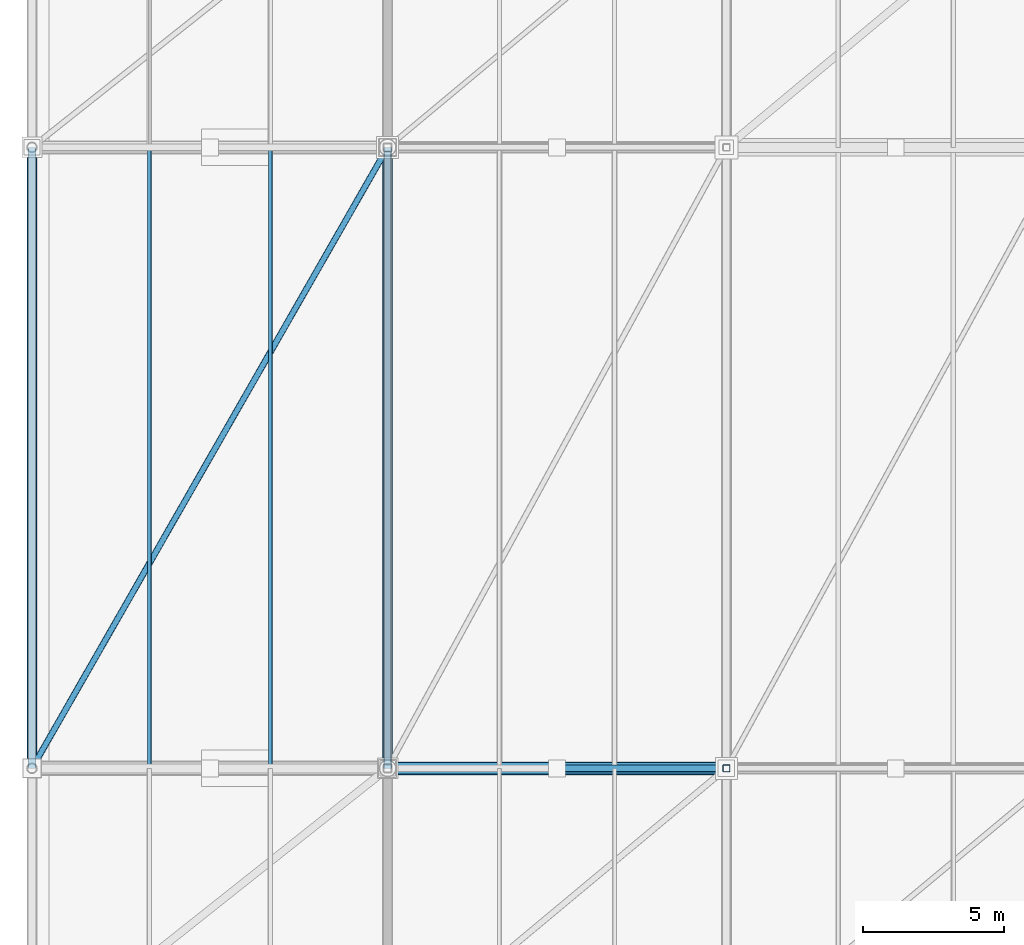
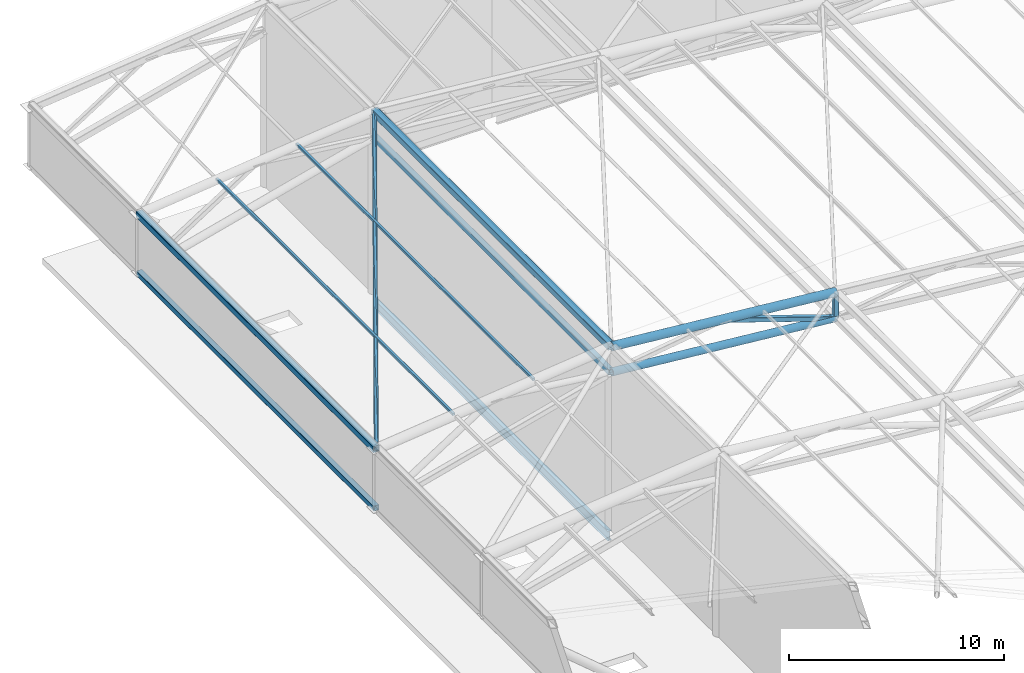
# One storey, part 26 of 44: 11 members, 1 beam.
"""IFC4 building model written with IfcOpenShell, lengths in metres."""

import ifcopenshell
import ifcopenshell.guid

model = None  # the IFC model being written
_history = None  # IfcOwnerHistory: only IFC2X3 demands one
_inside = {}  # id of a spatial element -> (the spatial element, [elements in it])
_under = {}  # id of a project, library or spatial element -> (it, [spatial elements below it])
_declared = {}  # id of a project -> (the project, [libraries it declares])
_typed = {}  # id of a type object -> (the type object, [elements of that type])
_made_of = {}  # id of a material, layer set ... -> (it, [elements and type objects made of it])


def new_model(schema):
    """Start an empty IFC model of exactly this schema.

    Asked for "IFC4X3", IfcOpenShell would pick the latest addendum, in which some entities
    have other attributes; the version numbers below select the first issue.
    IFC2X3 requires an IfcOwnerHistory on every rooted entity: one is made here for all.
    """
    global model, _history
    if schema == "IFC4X3":
        model = ifcopenshell.file(schema_version=(4, 3, 0, 0))
    else:
        model = ifcopenshell.file(schema=schema)
    _inside.clear()
    _under.clear()
    _declared.clear()
    _typed.clear()
    _made_of.clear()
    _history = None
    if model.schema == "IFC2X3":
        org = make("IfcOrganization", Name="unknown")
        user = make(
            "IfcPersonAndOrganization",
            ThePerson=make("IfcPerson", FamilyName="unknown"),
            TheOrganization=org,
        )
        app = make(
            "IfcApplication",
            ApplicationDeveloper=org,
            Version="unknown",
            ApplicationFullName="unknown",
            ApplicationIdentifier="unknown",
        )
        _history = make(
            "IfcOwnerHistory",
            OwningUser=user,
            OwningApplication=app,
            ChangeAction="ADDED",
            CreationDate=0,
        )
    return model


def make(cls, **values):
    """One entity of the class cls with the attributes given. An attribute that is None is left unset."""
    return model.create_entity(
        cls, **{name: value for name, value in values.items() if value is not None}
    )


def rooted(cls, **values):
    """An entity with a GlobalId (a new one), such as an element, a storey or a relation."""
    return make(cls, GlobalId=ifcopenshell.guid.new(), OwnerHistory=_history, **values)


def si_unit(unit_type, name, prefix=None):
    """IfcSIUnit, for example si_unit("LENGTHUNIT", "METRE", prefix="MILLI")."""
    return make("IfcSIUnit", UnitType=unit_type, Prefix=prefix, Name=name)


def assignment(units):
    """IfcUnitAssignment: the units of a project."""
    return None if units is None else make("IfcUnitAssignment", Units=units)


def point(xyz):
    """IfcCartesianPoint."""
    return None if xyz is None else make("IfcCartesianPoint", Coordinates=xyz)


def direction(xyz):
    """IfcDirection."""
    return None if xyz is None else make("IfcDirection", DirectionRatios=xyz)


def frame(location, z_axis=None, x_axis=None):
    """IfcAxis2Placement3D, a coordinate frame: its origin and axes. An axis left out is left unset."""
    return make(
        "IfcAxis2Placement3D",
        Location=point(location),
        Axis=direction(z_axis),
        RefDirection=direction(x_axis),
    )


def frame_2d(location, x_axis=None):
    """IfcAxis2Placement2D, a coordinate frame in the plane: its origin and x axis."""
    return make(
        "IfcAxis2Placement2D", Location=point(location), RefDirection=direction(x_axis)
    )


def origin():
    """The frame at (0, 0, 0) with its axes left unset."""
    return frame((0.0, 0.0, 0.0))


def origin_2d():
    """The frame at (0, 0) in the plane with its x axis left unset."""
    return frame_2d((0.0, 0.0))


def place(relative_to, where):
    """IfcLocalPlacement: puts the frame where relative to a parent placement (None: the world)."""
    return make(
        "IfcLocalPlacement", PlacementRelTo=relative_to, RelativePlacement=where
    )


def context(
    kind, dimensions, precision=None, world=None, true_north=None, identifier=None
):
    """IfcGeometricRepresentationContext, for example the 3D "Model" context."""
    return make(
        "IfcGeometricRepresentationContext",
        ContextIdentifier=identifier,
        ContextType=kind,
        CoordinateSpaceDimension=dimensions,
        Precision=precision,
        WorldCoordinateSystem=world,
        TrueNorth=true_north,
    )


def subcontext(parent, identifier, kind, view, scale=None):
    """IfcGeometricRepresentationSubContext, for example "Body" below "Model"."""
    return make(
        "IfcGeometricRepresentationSubContext",
        ContextIdentifier=identifier,
        ContextType=kind,
        ParentContext=parent,
        TargetScale=scale,
        TargetView=view,
    )


def project(units=None, contexts=None):
    """IfcProject with its units and contexts."""
    return rooted(
        "IfcProject",
        Name="project",
        RepresentationContexts=contexts,
        UnitsInContext=assignment(units),
    )


def spatial(cls, under=None, at=None, **own):
    """A site, building, storey or space (cls), placed at a placement, below another one or the project."""
    s = rooted(cls, ObjectPlacement=at, **own)
    if under is not None:
        _under.setdefault(under.id(), (under, []))[1].append(s)
    return s


def profile(cls, at=None, kind="AREA", **sizes):
    """A parametric profile (cls). Its sizes go by their IFC names, for example OverallWidth=200.0."""
    return make(cls, ProfileType=kind, Position=at, **sizes)


def hollow_rectangle(**sizes):
    """IfcRectangleHollowProfileDef."""
    return profile("IfcRectangleHollowProfileDef", **sizes)


def hollow_circle(**sizes):
    """IfcCircleHollowProfileDef."""
    return profile("IfcCircleHollowProfileDef", **sizes)


def i_section(**sizes):
    """IfcIShapeProfileDef."""
    return profile("IfcIShapeProfileDef", **sizes)


def extrude(swept, where, along, depth):
    """IfcExtrudedAreaSolid: the profile swept, set in the frame where, extruded along a direction by depth."""
    return make(
        "IfcExtrudedAreaSolid",
        SweptArea=swept,
        Position=where,
        ExtrudedDirection=direction(along),
        Depth=depth,
    )


def shape(context_of_items, identifier, shape_type, items):
    """IfcShapeRepresentation: the items that make up one representation, for example the "Body"."""
    return make(
        "IfcShapeRepresentation",
        ContextOfItems=context_of_items,
        RepresentationIdentifier=identifier,
        RepresentationType=shape_type,
        Items=items,
    )


def material(Name=None, Category=None):
    """IfcMaterial."""
    return make("IfcMaterial", Name=Name, Category=Category)


def material_profile(
    of_material, cross_section, Name=None, Category=None, Priority=None
):
    """IfcMaterialProfile: a cross section and its material."""
    return make(
        "IfcMaterialProfile",
        Name=Name,
        Material=of_material,
        Profile=cross_section,
        Priority=Priority,
        Category=Category,
    )


def profile_set(profiles, Name=None, composite=None):
    """IfcMaterialProfileSet."""
    return make(
        "IfcMaterialProfileSet",
        Name=Name,
        MaterialProfiles=profiles,
        CompositeProfile=composite,
    )


def made_of(thing, what):
    """Note that an element or type object is made of a material, layer set ...; save() writes the relation."""
    if what is not None:
        _made_of.setdefault(what.id(), (what, []))[1].append(thing)
    return thing


def type_object(cls, material=None, **own):
    """A type object (cls), such as IfcWallType, which elements share."""
    return made_of(rooted(cls, **own), material)


def element(
    cls,
    number,
    at=None,
    inside=None,
    cuts=None,
    type_object=None,
    material=None,
    context=None,
    identifier="Body",
    shape_type=None,
    held_by="IfcProductDefinitionShape",
    body=None,
    shapes=None,
    **own,
):
    """One element of the class cls, such as IfcWall. Its Tag is "e" and its number.

    at: its placement. inside: the storey or other place that contains it. cuts: it is an
    opening in that element (IfcRelVoidsElement). A single representation is given by context,
    identifier, shape_type and body (its items); several are given by shapes. held_by: the class
    of the entity that holds the representations. save() writes the other relations.
    """
    e = rooted(cls, Tag="e%d" % number, ObjectPlacement=at, **own)
    if body is not None:
        shapes = [shape(context, identifier, shape_type, body)]
    if shapes is not None:
        e.Representation = make(held_by, Representations=shapes)
    if inside is not None:
        _inside.setdefault(inside.id(), (inside, []))[1].append(e)
    if cuts is not None:
        rooted(
            "IfcRelVoidsElement", RelatingBuildingElement=cuts, RelatedOpeningElement=e
        )
    if type_object is not None:
        _typed.setdefault(type_object.id(), (type_object, []))[1].append(e)
    return made_of(e, material)


def aggregate(whole, parts):
    """IfcRelAggregates: a whole, such as a stair, and the parts it consists of."""
    return rooted("IfcRelAggregates", RelatingObject=whole, RelatedObjects=parts)


def save(model, path):
    """Write the relations noted so far, then the file.

    IfcRelAggregates (storeys below a building ...), IfcRelContainedInSpatialStructure (elements
    in a storey), IfcRelDefinesByType, IfcRelAssociatesMaterial and IfcRelDeclares: one each for
    every whole, place, type object, material and project.
    """
    for whole, parts in _under.values():
        aggregate(whole, parts)
    for where, things in _inside.values():
        rooted(
            "IfcRelContainedInSpatialStructure",
            RelatedElements=things,
            RelatingStructure=where,
        )
    for kind, things in _typed.values():
        rooted("IfcRelDefinesByType", RelatedObjects=things, RelatingType=kind)
    for what, things in _made_of.values():
        rooted("IfcRelAssociatesMaterial", RelatedObjects=things, RelatingMaterial=what)
    for by, libraries in _declared.values():
        rooted("IfcRelDeclares", RelatingContext=by, RelatedDefinitions=libraries)
    model.write(path)


model = new_model("IFC4")

# Units and contexts
model_context = context("Model", 3, precision=1e-05, world=origin(), true_north=direction((0.0, 1.0)))
body_context = subcontext(model_context, "Body", "Model", "MODEL_VIEW")
ifc_project = project(units=[si_unit("LENGTHUNIT", "METRE"), si_unit("AREAUNIT", "SQUARE_METRE"), si_unit("VOLUMEUNIT", "CUBIC_METRE"), si_unit("PLANEANGLEUNIT", "RADIAN"), si_unit("MASSUNIT", "GRAM", prefix="KILO")], contexts=[model_context])

# Site, building, storey
site_placement = place(None, origin())
site = spatial("IfcSite", under=ifc_project, at=site_placement, CompositionType="ELEMENT")
building_placement = place(site_placement, origin())
building = spatial("IfcBuilding", under=site, at=building_placement, Name="Brinegate Civic Arena", CompositionType="ELEMENT")
storey_placement = place(building_placement, frame((0.0, 0.0, 29.39990234375)))
storey = spatial("IfcBuildingStorey", under=building, at=storey_placement, Name="RF", CompositionType="ELEMENT", Elevation=29.39990234375)

# Members
ifc_material = material(Name="Steel S355", Category="steel")
ifc_material_profile_1 = material_profile(ifc_material, hollow_rectangle(XDim=0.139892578125, YDim=0.139892578125, WallThickness=0.008056640625, InnerFilletRadius=0.008056640625, OuterFilletRadius=0.01611328125, at=origin_2d()), Name="SHS140X8")
ifc_profile_set_1 = profile_set([ifc_material_profile_1], Name="Steel S355")
member_type_1 = type_object("IfcMemberType", Name="RF-PURLIN-SHS140", PredefinedType="PURLIN", material=ifc_profile_set_1)
for number, where, z_axis, x_axis, name in (
    (1, (51.55810546875, 82.0, 9.656982421875), (0.0, 1.0, 0.0), (-1.0, 0.0, 0.0), "Roof Purlin RFP-091"),
    (2, (55.842041015625, 82.0, 10.133056640625), (0.0, 1.0, 0.0), (-1.0, 0.0, 0.0), "Roof Purlin RFP-092"),
):
    element("IfcMember", number, at=place(storey_placement, frame(where, z_axis=z_axis, x_axis=x_axis)), inside=storey, type_object=member_type_1, Name=name, PredefinedType="PURLIN", context=body_context, shape_type="SweptSolid", body=[
        extrude(hollow_rectangle(XDim=0.139892578125, YDim=0.139892578125, WallThickness=0.008056640625, InnerFilletRadius=0.008056640625, OuterFilletRadius=0.01611328125, at=origin_2d()), origin(), (0.0, 0.0, 1.0), 22.0),
    ])
ifc_material_profile_2 = material_profile(ifc_material, hollow_circle(Radius=0.109619140625, WallThickness=0.010009765625, at=origin_2d()), Name="CHS219X10")
ifc_profile_set_2 = profile_set([ifc_material_profile_2], Name="Steel S355")
member_type_2 = type_object("IfcMemberType", Name="SF-BRACE-CHS219", PredefinedType="BRACE", material=ifc_profile_set_2)
member_1_placement = place(storey_placement, frame((47.39990234375, 82.0, 9.150146484375), z_axis=(0.496235240708, 0.866435768469, 0.05513297559), x_axis=(-0.867755606686, 0.496991153909, 0.0)))
element("IfcMember", 3, at=member_1_placement, inside=storey, type_object=member_type_2, Name="Roof Plan Diagonal Brace PL-6-1", PredefinedType="BRACE", context=body_context, shape_type="SweptSolid", body=[
    extrude(hollow_circle(Radius=0.109619140625, WallThickness=0.010009765625, at=origin_2d()), origin(), (0.0, 0.0, 1.0), 25.391357421875),
])
ifc_material_profile_3 = material_profile(ifc_material, hollow_rectangle(XDim=0.25, YDim=0.25, WallThickness=0.011962890625, InnerFilletRadius=0.011962890625, OuterFilletRadius=0.02392578125, at=origin_2d()), Name="SHS250X12")
ifc_profile_set_3 = profile_set([ifc_material_profile_3], Name="Steel S355")
member_type_3 = type_object("IfcMemberType", Name="SF-BRACE-SHS250", PredefinedType="BRACE", material=ifc_profile_set_3)
member_2_placement = place(storey_placement, frame((66.0, 82.0, 9.988037109375), z_axis=(0.948068139281, 0.0, -0.318067293635), x_axis=(0.0, 1.0, 0.0)))
element("IfcMember", 4, at=member_2_placement, inside=storey, type_object=member_type_3, Name="Space Frame Web Brace D2-6-2", PredefinedType="BRACE", context=body_context, shape_type="SweptSolid", body=[
    extrude(hollow_rectangle(XDim=0.25, YDim=0.25, WallThickness=0.011962890625, InnerFilletRadius=0.011962890625, OuterFilletRadius=0.02392578125, at=origin_2d()), origin(), (0.0, 0.0, 1.0), 6.32861328125),
])
ifc_material_profile_4 = material_profile(ifc_material, hollow_circle(Radius=0.202880859375, WallThickness=0.01611328125, at=origin_2d()), Name="CHS406X16")
ifc_profile_set_4 = profile_set([ifc_material_profile_4], Name="Steel S355")
member_type_4 = type_object("IfcMemberType", Name="SF-CHORD-CHS406", PredefinedType="CHORD", material=ifc_profile_set_4)
member_3_placement = place(storey_placement, frame((60.0, 82.0, 9.10009765625), z_axis=(0.995634226059, 0.0, -0.093340708693), x_axis=(0.0, 1.0, 0.0)))
element("IfcMember", 5, at=member_3_placement, inside=storey, type_object=member_type_4, Name="Space Frame Bottom Chord BX-6-2", PredefinedType="CHORD", context=body_context, shape_type="SweptSolid", body=[
    extrude(hollow_circle(Radius=0.202880859375, WallThickness=0.01611328125, at=origin_2d()), origin(), (0.0, 0.0, 1.0), 12.052734375),
])
ifc_material_profile_5 = material_profile(ifc_material, hollow_circle(Radius=0.228515625, WallThickness=0.01611328125, at=origin_2d()), Name="CHS457X16")
ifc_profile_set_5 = profile_set([ifc_material_profile_5], Name="Steel S355")
member_type_5 = type_object("IfcMemberType", Name="SF-CHORD-CHS457", PredefinedType="CHORD", material=ifc_profile_set_5)
member_4_placement = place(storey_placement, frame((60.0, 82.0, 10.550048828125), z_axis=(0.995634226059, 0.0, -0.093340708693), x_axis=(0.0, 1.0, 0.0)))
element("IfcMember", 6, at=member_4_placement, inside=storey, type_object=member_type_5, Name="Space Frame Top Chord TX-6-2", PredefinedType="CHORD", context=body_context, shape_type="SweptSolid", body=[
    extrude(hollow_circle(Radius=0.228515625, WallThickness=0.01611328125, at=origin_2d()), origin(), (0.0, 0.0, 1.0), 12.052734375),
])
ifc_material_profile_6 = material_profile(ifc_material, hollow_rectangle(XDim=0.300048828125, YDim=0.300048828125, WallThickness=0.01611328125, InnerFilletRadius=0.01611328125, OuterFilletRadius=0.031982421875, at=origin_2d()), Name="SHS300X16")
ifc_profile_set_6 = profile_set([ifc_material_profile_6], Name="Steel S355")
member_type_6 = type_object("IfcMemberType", Name="SF-CHORD-SHS300", PredefinedType="CHORD", material=ifc_profile_set_6)
for number, where, z_axis, x_axis, name in (
    (7, (47.39990234375, 82.0, 5.800048828125), (0.0, 1.0, 0.0), (-1.0, 0.0, 0.0), "Space Frame Cross Bottom Chord BY-6-1"),
    (8, (60.0, 82.0, 9.10009765625), (0.0, 1.0, 0.0), (-1.0, 0.0, 0.0), "Space Frame Cross Bottom Chord BY-6-2"),
):
    element("IfcMember", number, at=place(storey_placement, frame(where, z_axis=z_axis, x_axis=x_axis)), inside=storey, type_object=member_type_6, Name=name, PredefinedType="CHORD", context=body_context, shape_type="SweptSolid", body=[
        extrude(hollow_rectangle(XDim=0.300048828125, YDim=0.300048828125, WallThickness=0.01611328125, InnerFilletRadius=0.01611328125, OuterFilletRadius=0.031982421875, at=origin_2d()), origin(), (0.0, 0.0, 1.0), 22.0),
    ])
ifc_material_profile_7 = material_profile(ifc_material, hollow_rectangle(XDim=0.35009765625, YDim=0.35009765625, WallThickness=0.01611328125, InnerFilletRadius=0.01611328125, OuterFilletRadius=0.031982421875, at=origin_2d()), Name="SHS350X16")
ifc_profile_set_7 = profile_set([ifc_material_profile_7], Name="Steel S355")
member_type_7 = type_object("IfcMemberType", Name="SF-CHORD-SHS350", PredefinedType="CHORD", material=ifc_profile_set_7)
for number, where, z_axis, x_axis, name in (
    (9, (47.39990234375, 82.0, 9.150146484375), (0.0, 1.0, 0.0), (-1.0, 0.0, 0.0), "Space Frame Cross Top Chord TY-6-1"),
    (10, (60.0, 82.0, 10.550048828125), (0.0, 1.0, 0.0), (-1.0, 0.0, 0.0), "Space Frame Cross Top Chord TY-6-2"),
):
    element("IfcMember", number, at=place(storey_placement, frame(where, z_axis=z_axis, x_axis=x_axis)), inside=storey, type_object=member_type_7, Name=name, PredefinedType="CHORD", context=body_context, shape_type="SweptSolid", body=[
        extrude(hollow_rectangle(XDim=0.35009765625, YDim=0.35009765625, WallThickness=0.01611328125, InnerFilletRadius=0.01611328125, OuterFilletRadius=0.031982421875, at=origin_2d()), origin(), (0.0, 0.0, 1.0), 22.0),
    ])
ifc_material_profile_8 = material_profile(ifc_material, hollow_rectangle(XDim=0.25, YDim=0.25, WallThickness=0.011962890625, InnerFilletRadius=0.011962890625, OuterFilletRadius=0.02392578125, at=origin_2d()), Name="SHS250X12")
ifc_profile_set_8 = profile_set([ifc_material_profile_8], Name="Steel S355")
member_type_8 = type_object("IfcMemberType", Name="SF-STRUT-SHS250", PredefinedType="STRUT", material=ifc_profile_set_8)
member_5_placement = place(storey_placement, frame((72.0, 82.0, 7.97509765625), z_axis=(0.0, 0.0, 1.0), x_axis=(1.0, 0.0, 0.0)))
element("IfcMember", 11, at=member_5_placement, inside=storey, type_object=member_type_8, Name="Space Frame Vertical Post V-6-3", PredefinedType="STRUT", context=body_context, shape_type="SweptSolid", body=[
    extrude(hollow_rectangle(XDim=0.25, YDim=0.25, WallThickness=0.011962890625, InnerFilletRadius=0.011962890625, OuterFilletRadius=0.02392578125, at=origin_2d()), origin(), (0.0, 0.0, 1.0), 1.449951171875),
])

# Beam
ifc_material_profile_9 = material_profile(ifc_material, i_section(OverallWidth=0.2119140625, OverallDepth=0.5439453125, WebThickness=0.012939453125, FlangeThickness=0.02099609375, FilletRadius=0.01611328125, at=origin_2d()), Name="W530X123")
ifc_profile_set_9 = profile_set([ifc_material_profile_9], Name="Steel S355")
beam_type = type_object("IfcBeamType", Name="SPANDREL-W530X123", PredefinedType="SPANDREL", material=ifc_profile_set_9)
beam_placement = place(storey_placement, frame((60.0, 82.14990234375, -0.27197265625), z_axis=(0.0, 1.0, 0.0), x_axis=(-1.0, 0.0, 0.0)))
element("IfcBeam", 12, at=beam_placement, inside=storey, type_object=beam_type, Name="West Drum Crown Ring Beam WDRM-6", PredefinedType="SPANDREL", context=body_context, shape_type="SweptSolid", body=[
    extrude(i_section(OverallWidth=0.2119140625, OverallDepth=0.5439453125, WebThickness=0.012939453125, FlangeThickness=0.02099609375, FilletRadius=0.01611328125, at=origin_2d()), origin(), (0.0, 0.0, 1.0), 21.7001953125),
])

save(model, "model.ifc")
